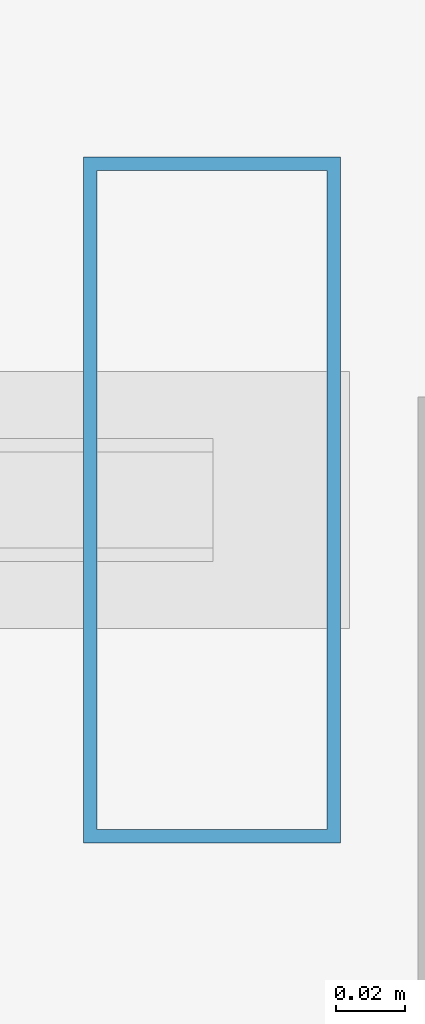
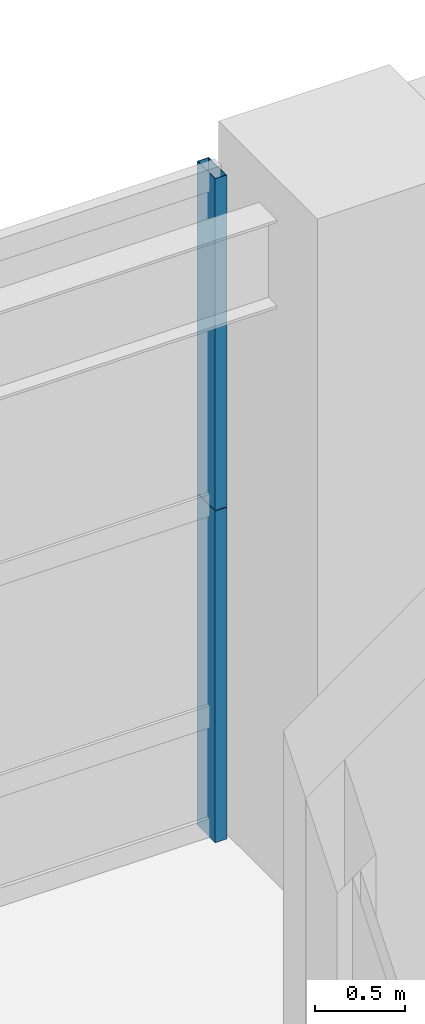
# One storey, part 25 of 37: 2 members, 1 element without a shape of its own.
"""IFC4 building model written with IfcOpenShell, lengths in metres."""

from ifc_helpers import new_model, si_unit, direction, frame, origin, origin_2d, place, context, subcontext, project, spatial, hollow_rectangle, extrude, source, transform, mapped, material, layer, layer_set, material_profile, profile_set, type_object, element, aggregate, save


model = new_model("IFC4")

# Units and contexts
model_context = context("Model", 3, precision=1e-05, world=origin(), true_north=direction((0.0, 1.0)))
body_context = subcontext(model_context, "Body", "Model", "MODEL_VIEW")
ifc_project = project(units=[si_unit("LENGTHUNIT", "METRE"), si_unit("AREAUNIT", "SQUARE_METRE"), si_unit("VOLUMEUNIT", "CUBIC_METRE"), si_unit("PLANEANGLEUNIT", "RADIAN"), si_unit("MASSUNIT", "GRAM", prefix="KILO"), si_unit("THERMODYNAMICTEMPERATUREUNIT", "KELVIN"), si_unit("POWERUNIT", "WATT")], contexts=[model_context])

# Site, building, storey
site_placement = place(None, origin())
site = spatial("IfcSite", under=ifc_project, at=site_placement, CompositionType="ELEMENT")
building_placement = place(site_placement, origin())
building = spatial("IfcBuilding", under=site, at=building_placement, Name="Yuzanri Waterfront Tower", CompositionType="ELEMENT")
storey_placement = place(building_placement, frame((0.0, 0.0, 5.39990234375)))
storey = spatial("IfcBuildingStorey", under=building, at=storey_placement, Name="L02", CompositionType="ELEMENT", Elevation=5.39990234375)

# Curtain wall, members
ifc_material_1 = material(Name="Anodized Architectural Bronze", Category="metal")
ifc_layer = layer(ifc_material_1, 0.159912109375)
ifc_layer_set = layer_set([ifc_layer], Name="Anodized Architectural Bronze")
curtain_wall_type = type_object("IfcCurtainWallType", Name="Anodized Bronze Podium Waterfront Double-Height Unitized Curtain Wall 8400", PredefinedType="NOTDEFINED", material=ifc_layer_set)
curtain_wall_placement = place(storey_placement, origin())
curtain_wall = element("IfcCurtainWall", 1, at=curtain_wall_placement, inside=storey, type_object=curtain_wall_type, Name="L02 Curtain Wall CW-L02-N2", PredefinedType="NOTDEFINED")
ifc_material_2 = material(Name="Anodized Architectural Bronze", Category="metal")
ifc_material_profile = material_profile(ifc_material_2, hollow_rectangle(XDim=0.074951171875, YDim=0.199951171875, WallThickness=0.00390625, at=origin_2d()), Name="CWM 75x200")
ifc_profile_set = profile_set([ifc_material_profile], Name="Anodized Architectural Bronze")
member_type = type_object("IfcMemberType", Name="Anodized Bronze Primary Curtain-Wall Mullion 75x200", PredefinedType="MULLION", material=ifc_profile_set)
shared_shape_1 = source(origin(), body_context, "Body", "SweptSolid", [
    extrude(hollow_rectangle(XDim=0.074951171875, YDim=0.199951171875, WallThickness=0.00390625, at=origin_2d()), origin(), (0.0, 0.0, 1.0), 2.258056640625),
])
member_1_placement = place(storey_placement, frame((57.889892578125, 49.6201171875, 0.0), z_axis=(0.0, 0.0, 1.0), x_axis=(1.0, 0.0, 0.0)))
member_1 = element("IfcMember", 2, at=member_1_placement, type_object=member_type, Name="CW-L02-N2 Lower Mullion 02", PredefinedType="MULLION", context=body_context, shape_type="MappedRepresentation", body=[
    mapped(shared_shape_1, transform((0.0, 0.0, 0.0), scale=1.0)),
])
shared_shape_2 = source(origin(), body_context, "Body", "SweptSolid", [
    extrude(hollow_rectangle(XDim=0.074951171875, YDim=0.199951171875, WallThickness=0.00390625, at=origin_2d()), origin(), (0.0, 0.0, 1.0), 2.2578125),
])
member_2_placement = place(storey_placement, frame((57.889892578125, 49.6201171875, 2.26220703125), z_axis=(0.0, 0.0, 1.0), x_axis=(1.0, 0.0, 0.0)))
member_2 = element("IfcMember", 3, at=member_2_placement, type_object=member_type, Name="CW-L02-N2 Upper Mullion 02", PredefinedType="MULLION", context=body_context, shape_type="MappedRepresentation", body=[
    mapped(shared_shape_2, transform((0.0, 0.0, 0.0), scale=1.0)),
])
aggregate(curtain_wall, [member_1, member_2])

save(model, "model.ifc")
